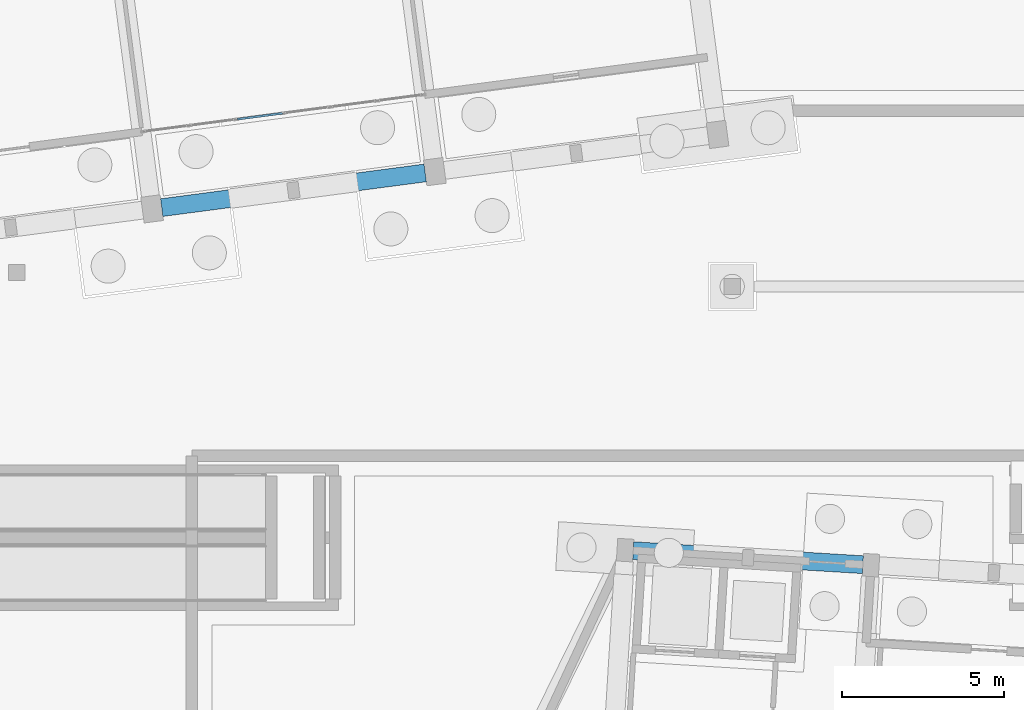
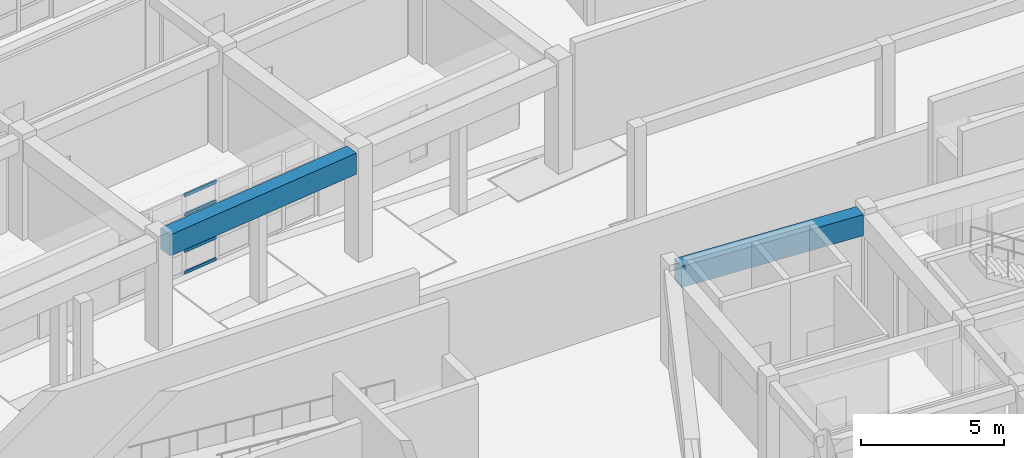
# One storey, part 63 of 154: 4 members, 2 beams, 1 element without a shape of its own.
"""IFC4 building model written with IfcOpenShell, lengths in metres."""

from ifc_helpers import new_model, si_unit, direction, frame, origin, origin_2d, place, context, subcontext, project, spatial, rectangle, hollow_rectangle, extrude, material, material_profile, profile_set, type_object, element, aggregate, save


model = new_model("IFC4")

# Units and contexts
model_context = context("Model", 3, precision=1e-05, world=origin(), true_north=direction((0.0, 1.0)))
body_context = subcontext(model_context, "Body", "Model", "MODEL_VIEW")
ifc_project = project(units=[si_unit("LENGTHUNIT", "METRE"), si_unit("AREAUNIT", "SQUARE_METRE"), si_unit("VOLUMEUNIT", "CUBIC_METRE"), si_unit("PLANEANGLEUNIT", "RADIAN"), si_unit("MASSUNIT", "GRAM", prefix="KILO")], contexts=[model_context])

# Site, building, storey
site_placement = place(None, origin())
site = spatial("IfcSite", under=ifc_project, at=site_placement, CompositionType="ELEMENT")
building_placement = place(site_placement, origin())
building = spatial("IfcBuilding", under=site, at=building_placement, Name="Kestramere Prow Commons", CompositionType="ELEMENT")
storey_placement = place(building_placement, origin())
storey = spatial("IfcBuildingStorey", under=building, at=storey_placement, Name="L00", CompositionType="ELEMENT", Elevation=0.0)

# Curtain wall, members
ifc_material_1 = material(Name="Anodised Aluminium and Low-E Glass", Category="aluminium")
curtain_wall_type = type_object("IfcCurtainWallType", Name="CW-01 Glazed Curtain Wall 8780x3350", PredefinedType="USERDEFINED", material=ifc_material_1)
curtain_wall_placement = place(storey_placement, origin())
curtain_wall = element("IfcCurtainWall", 1, at=curtain_wall_placement, inside=storey, type_object=curtain_wall_type, Name="Block A L00 South Colonnade Storefront 5", ObjectType="GLAZED CURTAIN WALL", PredefinedType="USERDEFINED")
ifc_material_2 = material(Name="Anodised Aluminium 6063-T6", Category="aluminium")
ifc_material_profile_1 = material_profile(ifc_material_2, hollow_rectangle(XDim=0.06494140625, YDim=0.1298828125, WallThickness=0.00390625, at=origin_2d()), Name="ALU-TRN 65x130")
ifc_profile_set_1 = profile_set([ifc_material_profile_1], Name="Anodised Aluminium 6063-T6")
member_type = type_object("IfcMemberType", Name="CW-TRN-65x130", PredefinedType="USERDEFINED", material=ifc_profile_set_1)
member_1_placement = place(storey_placement, frame((50.11572265625, 79.5439453125, 0.032470703125), z_axis=(-0.99145964274, -0.130413867429, 0.0), x_axis=(0.130413867429, -0.99145964274, 0.0)))
member_1 = element("IfcMember", 2, at=member_1_placement, type_object=member_type, Name="CW-01 transom 4.1", ObjectType="TRANSOM", PredefinedType="USERDEFINED", context=body_context, shape_type="SweptSolid", body=[
    extrude(hollow_rectangle(XDim=0.06494140625, YDim=0.1298828125, WallThickness=0.00390625, at=origin_2d()), origin(), (0.0, 0.0, 1.0), 1.3984375),
])
member_2_placement = place(storey_placement, frame((50.11572265625, 79.5439453125, 0.949951171875), z_axis=(-0.99145964274, -0.130413867429, 0.0), x_axis=(0.130413867429, -0.99145964274, 0.0)))
member_2 = element("IfcMember", 3, at=member_2_placement, type_object=member_type, Name="CW-01 transom 4.2", ObjectType="TRANSOM", PredefinedType="USERDEFINED", context=body_context, shape_type="SweptSolid", body=[
    extrude(hollow_rectangle(XDim=0.06494140625, YDim=0.1298828125, WallThickness=0.00390625, at=origin_2d()), origin(), (0.0, 0.0, 1.0), 1.3984375),
])
member_3_placement = place(storey_placement, frame((50.11572265625, 79.5439453125, 2.5), z_axis=(-0.99145964274, -0.130413867429, 0.0), x_axis=(0.130413867429, -0.99145964274, 0.0)))
member_3 = element("IfcMember", 4, at=member_3_placement, type_object=member_type, Name="CW-01 transom 4.3", ObjectType="TRANSOM", PredefinedType="USERDEFINED", context=body_context, shape_type="SweptSolid", body=[
    extrude(hollow_rectangle(XDim=0.06494140625, YDim=0.1298828125, WallThickness=0.00390625, at=origin_2d()), origin(), (0.0, 0.0, 1.0), 1.3984375),
])
member_4_placement = place(storey_placement, frame((50.11572265625, 79.5439453125, 3.3173828125), z_axis=(-0.99145964274, -0.130413867429, 0.0), x_axis=(0.130413867429, -0.99145964274, 0.0)))
member_4 = element("IfcMember", 5, at=member_4_placement, type_object=member_type, Name="CW-01 transom 4.4", ObjectType="TRANSOM", PredefinedType="USERDEFINED", context=body_context, shape_type="SweptSolid", body=[
    extrude(hollow_rectangle(XDim=0.06494140625, YDim=0.1298828125, WallThickness=0.00390625, at=origin_2d()), origin(), (0.0, 0.0, 1.0), 1.3984375),
])
aggregate(curtain_wall, [member_1, member_2, member_3, member_4])

# Beams
ifc_material_3 = material(Name="Precast concrete C40/50", Category="concrete")
ifc_material_profile_2 = material_profile(ifc_material_3, rectangle(XDim=0.550048828125, YDim=0.89990234375, at=origin_2d()), Name="PC-TG 550x900")
ifc_profile_set_2 = profile_set([ifc_material_profile_2], Name="Precast concrete C40/50")
beam_type = type_object("IfcBeamType", Name="TG-01 PC-TG 550x900 (EX)", PredefinedType="BEAM", material=ifc_profile_set_2)
beam_1_placement = place(storey_placement, frame((46.396240234375, 76.6337890625, 3.800048828125), z_axis=(0.991444969909, 0.13052536781, 0.0), x_axis=(-0.13052536781, 0.991444969909, 0.0)))
element("IfcBeam", 6, at=beam_1_placement, inside=storey, type_object=beam_type, Name="Block A L00 Longitudinal Beam 1-5", PredefinedType="BEAM", context=body_context, shape_type="SweptSolid", body=[
    extrude(rectangle(XDim=0.550048828125, YDim=0.89990234375, at=origin_2d()), origin(), (0.0, 0.0, 1.0), 8.199951171875),
])
beam_2_placement = place(storey_placement, frame((60.946044921875, 66.048095703125, 3.800048828125), z_axis=(0.99813569621, -0.061033859059, 0.0), x_axis=(0.061033859059, 0.99813569621, 0.0)))
element("IfcBeam", 7, at=beam_2_placement, inside=storey, type_object=beam_type, Name="Block C L00 Longitudinal Beam 4-1", PredefinedType="BEAM", context=body_context, shape_type="SweptSolid", body=[
    extrude(rectangle(XDim=0.550048828125, YDim=0.89990234375, at=origin_2d()), origin(), (0.0, 0.0, 1.0), 7.10009765625),
])

save(model, "model.ifc")
